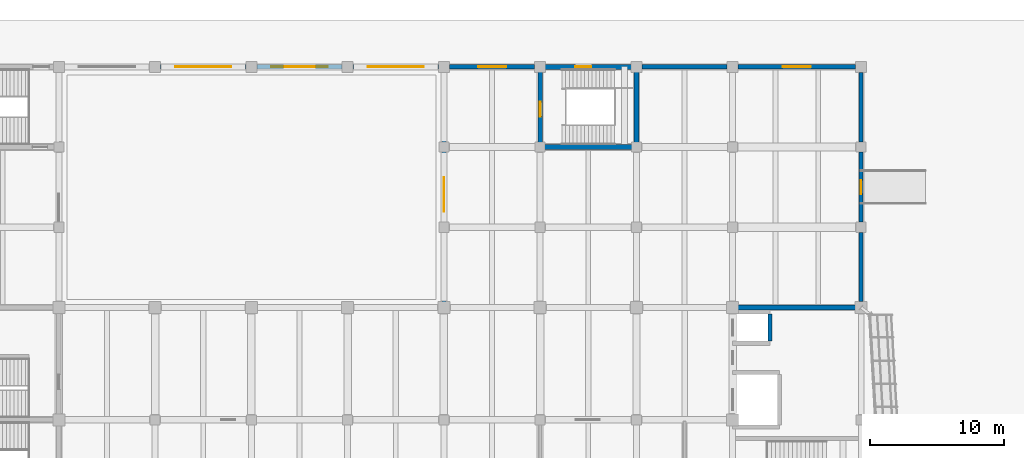
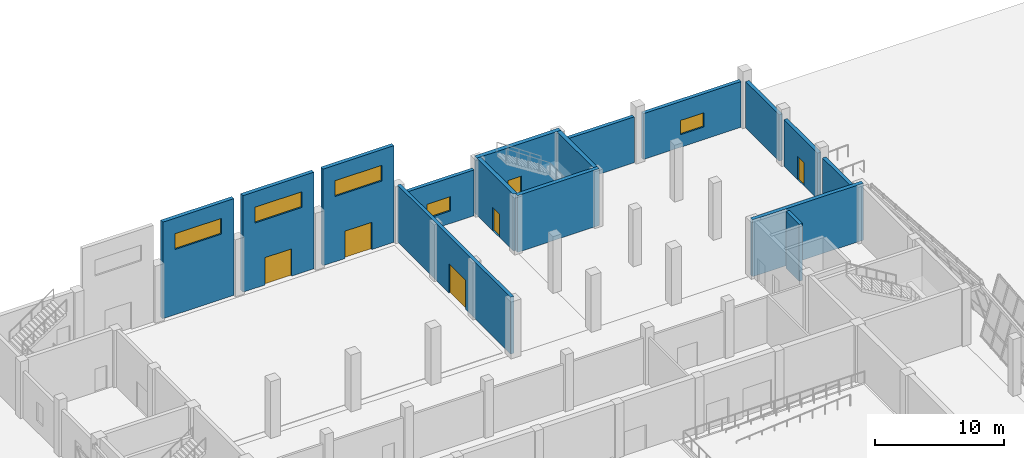
# One storey, part 65 of 78: 16 walls, 6 doors, 5 windows, 11 openings.
"""IFC4 building model written with IfcOpenShell, lengths in metres."""

from ifc_helpers import new_model, si_unit, direction, frame, frame_2d, origin, place, context, subcontext, project, spatial, rectangle, extrude, material, layer, layer_set, type_object, element, fill, save


model = new_model("IFC4")

# Units and contexts
model_context = context("Model", 3, precision=1e-05, world=origin(), true_north=direction((0.0, 1.0)))
body_context = subcontext(model_context, "Body", "Model", "MODEL_VIEW")
ifc_project = project(units=[si_unit("LENGTHUNIT", "METRE"), si_unit("AREAUNIT", "SQUARE_METRE"), si_unit("VOLUMEUNIT", "CUBIC_METRE"), si_unit("PLANEANGLEUNIT", "RADIAN"), si_unit("MASSUNIT", "GRAM", prefix="KILO")], contexts=[model_context])

# Site, building, storey
site_placement = place(None, origin())
site = spatial("IfcSite", under=ifc_project, at=site_placement, CompositionType="ELEMENT")
building_placement = place(site_placement, origin())
building = spatial("IfcBuilding", under=site, at=building_placement, Name="Pellamere Symphony Hall", CompositionType="ELEMENT")
storey_placement = place(building_placement, origin())
storey = spatial("IfcBuildingStorey", under=building, at=storey_placement, Name="L00", CompositionType="ELEMENT", Elevation=0.0)

# Wall, opening, window
ifc_material_1 = material(Name="Precast concrete 40 MPa", Category="concrete")
ifc_layer_1 = layer(ifc_material_1, 0.320068359375, Name="Precast concrete 40 MPa")
ifc_layer_set_1 = layer_set([ifc_layer_1], Name="Precast concrete 40 MPa")
wall_type_1 = type_object("IfcWallType", Name="Exterior Wall EW-02 320mm", PredefinedType="SOLIDWALL", material=ifc_layer_set_1)
wall_1_placement = place(storey_placement, frame((88.010009765625, 111.60009765625, 0.0), z_axis=(0.0, 0.0, 1.0), x_axis=(1.0, 0.0, 0.0)))
wall_1 = element("IfcWall", 1, at=wall_1_placement, inside=storey, type_object=wall_type_1, Name="Exterior Wall EW-02-020 (L00)", PredefinedType="SOLIDWALL", context=body_context, shape_type="SweptSolid", body=[
    extrude(rectangle(XDim=6.3798828125, YDim=0.320068359375, at=frame_2d((3.18994140625, 0.0))), origin(), (0.0, 0.0, 1.0), 4.35009765625),
])
opening_1_placement = place(wall_1_placement, frame((2.139892578125, 0.0, 1.199951171875)))
opening_1 = element("IfcOpeningElement", 2, at=opening_1_placement, cuts=wall_1, Name="Opening W018", PredefinedType="OPENING", context=body_context, shape_type="SweptSolid", body=[
    extrude(rectangle(XDim=2.10009765625, YDim=1.35009765625, at=frame_2d((1.050048828125, 0.675048828125))), frame((0.0, 0.169921875, 0.0), z_axis=(0.0, -1.0, 0.0), x_axis=(1.0, 0.0, 0.0)), (0.0, 0.0, 1.0), 0.340087890625),
])
ifc_material_2 = material(Name="Thermally Broken Aluminium Triple-Glazed Acoustic Window", Category="aluminium")
window_type_1 = type_object("IfcWindowType", Name="Window WN-06 2100x1350", PartitioningType="DOUBLE_PANEL_HORIZONTAL", PredefinedType="WINDOW", material=ifc_material_2)
window_1_placement = place(opening_1_placement, origin())
window_1 = element("IfcWindow", 3, at=window_1_placement, inside=storey, type_object=window_type_1, Name="Exterior Window W018 (L00)", OverallHeight=1.35009765625, OverallWidth=2.10009765625, PartitioningType="SINGLE_PANEL", PredefinedType="WINDOW", context=body_context, shape_type="SweptSolid", body=[
    extrude(rectangle(XDim=2.10009765625, YDim=1.35009765625, at=frame_2d((1.050048828125, 0.675048828125))), frame((0.0, 0.030029296875, 0.0), z_axis=(0.0, -1.0, 0.0), x_axis=(1.0, 0.0, 0.0)), (0.0, 0.0, 1.0), 0.06005859375),
])
fill(opening_1, window_1)

# Wall
wall_2_placement = place(storey_placement, frame((102.409912109375, 111.60009765625, 0.0), z_axis=(0.0, 0.0, 1.0), x_axis=(1.0, 0.0, 0.0)))
element("IfcWall", 4, at=wall_2_placement, inside=storey, type_object=wall_type_1, Name="Exterior Wall EW-02-021 (L00)", PredefinedType="SOLIDWALL", context=body_context, shape_type="SweptSolid", body=[
    extrude(rectangle(XDim=6.380126953125, YDim=0.320068359375, at=frame_2d((3.18994140625, 0.0))), origin(), (0.0, 0.0, 1.0), 4.35009765625),
])

# Wall, opening, window
wall_3_placement = place(storey_placement, frame((109.610107421875, 111.60009765625, 0.0), z_axis=(0.0, 0.0, 1.0), x_axis=(1.0, 0.0, 0.0)))
wall_3 = element("IfcWall", 5, at=wall_3_placement, inside=storey, type_object=wall_type_1, Name="Exterior Wall EW-02-022 (L00)", PredefinedType="SOLIDWALL", context=body_context, shape_type="SweptSolid", body=[
    extrude(rectangle(XDim=8.77978515625, YDim=0.320068359375, at=frame_2d((4.389892578125, 0.0))), origin(), (0.0, 0.0, 1.0), 4.35009765625),
])
opening_2_placement = place(wall_3_placement, frame((3.340087890625, 0.0, 1.199951171875)))
opening_2 = element("IfcOpeningElement", 6, at=opening_2_placement, cuts=wall_3, Name="Opening W019", PredefinedType="OPENING", context=body_context, shape_type="SweptSolid", body=[
    extrude(rectangle(XDim=2.10009765625, YDim=1.35009765625, at=frame_2d((1.050048828125, 0.675048828125))), frame((0.0, 0.169921875, 0.0), z_axis=(0.0, -1.0, 0.0), x_axis=(1.0, 0.0, 0.0)), (0.0, 0.0, 1.0), 0.340087890625),
])
window_2_placement = place(opening_2_placement, origin())
window_2 = element("IfcWindow", 7, at=window_2_placement, inside=storey, type_object=window_type_1, Name="Exterior Window W019 (L00)", OverallHeight=1.35009765625, OverallWidth=2.10009765625, PartitioningType="SINGLE_PANEL", PredefinedType="WINDOW", context=body_context, shape_type="SweptSolid", body=[
    extrude(rectangle(XDim=2.10009765625, YDim=1.35009765625, at=frame_2d((1.050048828125, 0.675048828125))), frame((0.0, 0.030029296875, 0.0), z_axis=(0.0, -1.0, 0.0), x_axis=(1.0, 0.0, 0.0)), (0.0, 0.0, 1.0), 0.06005859375),
])
fill(opening_2, window_2)

# Wall
wall_4_placement = place(storey_placement, frame((118.800048828125, 94.050048828125, 0.0), z_axis=(0.0, 0.0, 1.0), x_axis=(0.0, 1.0, 0.0)))
element("IfcWall", 8, at=wall_4_placement, inside=storey, type_object=wall_type_1, Name="Exterior Wall EW-02-024 (L00)", PredefinedType="SOLIDWALL", context=body_context, shape_type="SweptSolid", body=[
    extrude(rectangle(XDim=5.175048828125, YDim=0.320068359375, at=frame_2d((2.58740234375, 0.0))), origin(), (0.0, 0.0, 1.0), 4.39990234375),
])

# Wall, opening, door
wall_5_placement = place(storey_placement, frame((118.800048828125, 99.97509765625, 0.0), z_axis=(0.0, 0.0, 1.0), x_axis=(0.0, 1.0, 0.0)))
wall_5 = element("IfcWall", 9, at=wall_5_placement, inside=storey, type_object=wall_type_1, Name="Exterior Wall EW-02-026 (L00)", PredefinedType="SOLIDWALL", context=body_context, shape_type="SweptSolid", body=[
    extrude(rectangle(XDim=5.25, YDim=0.320068359375, at=frame_2d((2.625, 0.0))), origin(), (0.0, 0.0, 1.0), 4.39990234375),
])
opening_3_placement = place(wall_5_placement, frame((2.10009765625, 0.0, 0.0)))
opening_3 = element("IfcOpeningElement", 10, at=opening_3_placement, cuts=wall_5, Name="Opening E10", PredefinedType="OPENING", context=body_context, shape_type="SweptSolid", body=[
    extrude(rectangle(XDim=1.050048828125, YDim=2.199951171875, at=frame_2d((0.52490234375, 1.10009765625))), frame((0.0, 0.169921875, 0.0), z_axis=(0.0, -1.0, 0.0), x_axis=(1.0, 0.0, 0.0)), (0.0, 0.0, 1.0), 0.340087890625),
])
ifc_material_3 = material(Name="Thermally Broken Bronze-Anodised Aluminium Acoustic Door", Category="aluminium")
door_type_1 = type_object("IfcDoorType", Name="Exterior Door ED-09 1050x2200", OperationType="NOTDEFINED", PredefinedType="DOOR", material=ifc_material_3)
door_1_placement = place(opening_3_placement, frame((1.050048828125, 0.0, 0.0), z_axis=(0.0, 0.0, 1.0), x_axis=(-1.0, 0.0, 0.0)))
door_1 = element("IfcDoor", 11, at=door_1_placement, inside=storey, type_object=door_type_1, Name="Stage Personnel Entrance Door", OperationType="SINGLE_SWING_LEFT", OverallHeight=2.199951171875, OverallWidth=1.050048828125, PredefinedType="DOOR", context=body_context, shape_type="SweptSolid", body=[
    extrude(rectangle(XDim=1.050048828125, YDim=2.199951171875, at=frame_2d((0.52490234375, 1.10009765625))), frame((0.0, 0.02490234375, 0.0), z_axis=(0.0, -1.0, 0.0), x_axis=(1.0, 0.0, 0.0)), (0.0, 0.0, 1.0), 0.050048828125),
])
fill(opening_3, door_1)

# Wall
wall_6_placement = place(storey_placement, frame((118.800048828125, 105.97509765625, 0.0), z_axis=(0.0, 0.0, 1.0), x_axis=(0.0, 1.0, 0.0)))
element("IfcWall", 12, at=wall_6_placement, inside=storey, type_object=wall_type_1, Name="Exterior Wall EW-02-027 (L00)", PredefinedType="SOLIDWALL", context=body_context, shape_type="SweptSolid", body=[
    extrude(rectangle(XDim=5.21484375, YDim=0.320068359375, at=frame_2d((2.607421875, 0.0))), origin(), (0.0, 0.0, 1.0), 4.39990234375),
])

# Wall, opening, window
ifc_layer_2 = layer(ifc_material_1, 0.340087890625, Name="Precast concrete 40 MPa")
ifc_layer_set_2 = layer_set([ifc_layer_2], Name="Precast concrete 40 MPa")
wall_type_2 = type_object("IfcWallType", Name="Exterior Wall EW-07 340mm", PredefinedType="SOLIDWALL", material=ifc_layer_set_2)
wall_7_placement = place(storey_placement, frame((66.409912109375, 111.60009765625, 0.0), z_axis=(0.0, 0.0, 1.0), x_axis=(1.0, 0.0, 0.0)))
wall_7 = element("IfcWall", 13, at=wall_7_placement, inside=storey, type_object=wall_type_2, Name="Exterior Wall EW-07-017 (L00)", PredefinedType="SOLIDWALL", context=body_context, shape_type="SweptSolid", body=[
    extrude(rectangle(XDim=6.380126953125, YDim=0.340087890625, at=frame_2d((3.18994140625, 0.0))), origin(), (0.0, 0.0, 1.0), 9.179931640625),
])
opening_4_placement = place(wall_7_placement, frame((1.090087890625, 0.0, 6.199951171875)))
opening_4 = element("IfcOpeningElement", 14, at=opening_4_placement, cuts=wall_7, Name="Opening W015", PredefinedType="OPENING", context=body_context, shape_type="SweptSolid", body=[
    extrude(rectangle(XDim=4.199951171875, YDim=1.5, at=frame_2d((2.10009765625, 0.75))), frame((0.0, 0.179931640625, 0.0), z_axis=(0.0, -1.0, 0.0), x_axis=(1.0, 0.0, 0.0)), (0.0, 0.0, 1.0), 0.360107421875),
])
window_type_2 = type_object("IfcWindowType", Name="Window WN-09 4200x1500", PartitioningType="TRIPLE_PANEL_HORIZONTAL", PredefinedType="WINDOW", material=ifc_material_2)
window_3_placement = place(opening_4_placement, origin())
window_3 = element("IfcWindow", 15, at=window_3_placement, inside=storey, type_object=window_type_2, Name="Exterior Window W015 (L00)", OverallHeight=1.5, OverallWidth=4.199951171875, PartitioningType="SINGLE_PANEL", PredefinedType="WINDOW", context=body_context, shape_type="SweptSolid", body=[
    extrude(rectangle(XDim=4.199951171875, YDim=1.5, at=frame_2d((2.10009765625, 0.75))), frame((0.0, 0.030029296875, 0.0), z_axis=(0.0, -1.0, 0.0), x_axis=(1.0, 0.0, 0.0)), (0.0, 0.0, 1.0), 0.06005859375),
])
fill(opening_4, window_3)

# Wall, openings, door, window
wall_8_placement = place(storey_placement, frame((73.610107421875, 111.60009765625, 0.0), z_axis=(0.0, 0.0, 1.0), x_axis=(1.0, 0.0, 0.0)))
wall_8 = element("IfcWall", 16, at=wall_8_placement, inside=storey, type_object=wall_type_2, Name="Exterior Wall EW-07-018 (L00)", PredefinedType="SOLIDWALL", context=body_context, shape_type="SweptSolid", body=[
    extrude(rectangle(XDim=6.3798828125, YDim=0.340087890625, at=frame_2d((3.18994140625, 0.0))), origin(), (0.0, 0.0, 1.0), 9.179931640625),
])
opening_5_placement = place(wall_8_placement, frame((1.090087890625, 0.0, 6.199951171875)))
opening_5 = element("IfcOpeningElement", 17, at=opening_5_placement, cuts=wall_8, Name="Opening W016", PredefinedType="OPENING", context=body_context, shape_type="SweptSolid", body=[
    extrude(rectangle(XDim=4.199951171875, YDim=1.5, at=frame_2d((2.10009765625, 0.75))), frame((0.0, 0.179931640625, 0.0), z_axis=(0.0, -1.0, 0.0), x_axis=(1.0, 0.0, 0.0)), (0.0, 0.0, 1.0), 0.360107421875),
])
opening_6_placement = place(wall_8_placement, frame((1.989990234375, 0.0, 0.0)))
opening_6 = element("IfcOpeningElement", 18, at=opening_6_placement, cuts=wall_8, Name="Opening E0973", PredefinedType="OPENING", context=body_context, shape_type="SweptSolid", body=[
    extrude(rectangle(XDim=2.39990234375, YDim=2.60009765625, at=frame_2d((1.199951171875, 1.300048828125))), frame((0.0, 0.179931640625, 0.0), z_axis=(0.0, -1.0, 0.0), x_axis=(1.0, 0.0, 0.0)), (0.0, 0.0, 1.0), 0.360107421875),
])
door_type_2 = type_object("IfcDoorType", Name="Exterior Door ED-01 2400x2600", OperationType="NOTDEFINED", PredefinedType="DOOR", material=ifc_material_3)
door_2_placement = place(opening_6_placement, origin())
door_2 = element("IfcDoor", 19, at=door_2_placement, inside=storey, type_object=door_type_2, Name="Rehearsal North Plaza Exit", OperationType="DOUBLE_DOOR_SINGLE_SWING", OverallHeight=2.60009765625, OverallWidth=2.39990234375, PredefinedType="DOOR", context=body_context, shape_type="SweptSolid", body=[
    extrude(rectangle(XDim=2.39990234375, YDim=2.60009765625, at=frame_2d((1.199951171875, 1.300048828125))), frame((0.0, 0.02490234375, 0.0), z_axis=(0.0, -1.0, 0.0), x_axis=(1.0, 0.0, 0.0)), (0.0, 0.0, 1.0), 0.050048828125),
])
fill(opening_6, door_2)
window_4_placement = place(opening_5_placement, origin())
window_4 = element("IfcWindow", 20, at=window_4_placement, inside=storey, type_object=window_type_2, Name="Exterior Window W016 (L00)", OverallHeight=1.5, OverallWidth=4.199951171875, PartitioningType="SINGLE_PANEL", PredefinedType="WINDOW", context=body_context, shape_type="SweptSolid", body=[
    extrude(rectangle(XDim=4.199951171875, YDim=1.5, at=frame_2d((2.10009765625, 0.75))), frame((0.0, 0.030029296875, 0.0), z_axis=(0.0, -1.0, 0.0), x_axis=(1.0, 0.0, 0.0)), (0.0, 0.0, 1.0), 0.06005859375),
])
fill(opening_5, window_4)

wall_9_placement = place(storey_placement, frame((80.81005859375, 111.60009765625, 0.0), z_axis=(0.0, 0.0, 1.0), x_axis=(1.0, 0.0, 0.0)))
wall_9 = element("IfcWall", 21, at=wall_9_placement, inside=storey, type_object=wall_type_2, Name="Exterior Wall EW-07-019 (L00)", PredefinedType="SOLIDWALL", context=body_context, shape_type="SweptSolid", body=[
    extrude(rectangle(XDim=6.3798828125, YDim=0.340087890625, at=frame_2d((3.18994140625, 0.0))), origin(), (0.0, 0.0, 1.0), 9.179931640625),
])
opening_7_placement = place(wall_9_placement, frame((1.090087890625, 0.0, 6.199951171875)))
opening_7 = element("IfcOpeningElement", 22, at=opening_7_placement, cuts=wall_9, Name="Opening W017", PredefinedType="OPENING", context=body_context, shape_type="SweptSolid", body=[
    extrude(rectangle(XDim=4.199951171875, YDim=1.5, at=frame_2d((2.10009765625, 0.75))), frame((0.0, 0.179931640625, 0.0), z_axis=(0.0, -1.0, 0.0), x_axis=(1.0, 0.0, 0.0)), (0.0, 0.0, 1.0), 0.360107421875),
])
opening_8_placement = place(wall_9_placement, frame((1.989990234375, 0.0, 0.0)))
opening_8 = element("IfcOpeningElement", 23, at=opening_8_placement, cuts=wall_9, Name="Opening E0980", PredefinedType="OPENING", context=body_context, shape_type="SweptSolid", body=[
    extrude(rectangle(XDim=2.39990234375, YDim=2.60009765625, at=frame_2d((1.199951171875, 1.300048828125))), frame((0.0, 0.179931640625, 0.0), z_axis=(0.0, -1.0, 0.0), x_axis=(1.0, 0.0, 0.0)), (0.0, 0.0, 1.0), 0.360107421875),
])
door_3_placement = place(opening_8_placement, origin())
door_3 = element("IfcDoor", 24, at=door_3_placement, inside=storey, type_object=door_type_2, Name="Rehearsal North Plaza Exit", OperationType="DOUBLE_DOOR_SINGLE_SWING", OverallHeight=2.60009765625, OverallWidth=2.39990234375, PredefinedType="DOOR", context=body_context, shape_type="SweptSolid", body=[
    extrude(rectangle(XDim=2.39990234375, YDim=2.60009765625, at=frame_2d((1.199951171875, 1.300048828125))), frame((0.0, 0.02490234375, 0.0), z_axis=(0.0, -1.0, 0.0), x_axis=(1.0, 0.0, 0.0)), (0.0, 0.0, 1.0), 0.050048828125),
])
fill(opening_8, door_3)
window_5_placement = place(opening_7_placement, origin())
window_5 = element("IfcWindow", 25, at=window_5_placement, inside=storey, type_object=window_type_2, Name="Exterior Window W017 (L00)", OverallHeight=1.5, OverallWidth=4.199951171875, PartitioningType="SINGLE_PANEL", PredefinedType="WINDOW", context=body_context, shape_type="SweptSolid", body=[
    extrude(rectangle(XDim=4.199951171875, YDim=1.5, at=frame_2d((2.10009765625, 0.75))), frame((0.0, 0.030029296875, 0.0), z_axis=(0.0, -1.0, 0.0), x_axis=(1.0, 0.0, 0.0)), (0.0, 0.0, 1.0), 0.06005859375),
])
fill(opening_7, window_5)

# Walls
ifc_material_4 = material(Name="Concrete 40 MPa", Category="concrete")
ifc_layer_3 = layer(ifc_material_4, 0.35009765625, Name="Concrete 40 MPa")
ifc_layer_set_3 = layer_set([ifc_layer_3], Name="Concrete 40 MPa")
wall_type_3 = type_object("IfcWallType", Name="Structural Wall SW-03 350mm", PredefinedType="SHEAR", material=ifc_layer_set_3)
wall_10_placement = place(storey_placement, frame((109.02490234375, 93.60009765625, 0.0), z_axis=(0.0, 0.0, 1.0), x_axis=(1.0, 0.0, 0.0)))
element("IfcWall", 26, at=wall_10_placement, inside=storey, type_object=wall_type_3, Name="Core Shear Wall C4 N (L00)", PredefinedType="SHEAR", context=body_context, shape_type="SweptSolid", body=[
    extrude(rectangle(XDim=9.9501953125, YDim=0.35009765625, at=frame_2d((4.97509765625, 0.0))), origin(), (0.0, 0.0, 1.0), 5.39990234375),
])
wall_11_placement = place(storey_placement, frame((94.820068359375, 105.60009765625, 0.0), z_axis=(0.0, 0.0, 1.0), x_axis=(1.0, 0.0, 0.0)))
element("IfcWall", 27, at=wall_11_placement, inside=storey, type_object=wall_type_3, Name="Stair ST11 Enclosure Wall S (L00)", PredefinedType="SHEAR", context=body_context, shape_type="SweptSolid", body=[
    extrude(rectangle(XDim=7.35498046875, YDim=0.35009765625, at=frame_2d((3.677490234375, 0.0))), origin(), (0.0, 0.0, 1.0), 5.39990234375),
])

# Wall, opening, door
wall_12_placement = place(storey_placement, frame((94.800048828125, 105.77490234375, 0.0), z_axis=(0.0, 0.0, 1.0), x_axis=(0.0, 1.0, 0.0)))
wall_12 = element("IfcWall", 28, at=wall_12_placement, inside=storey, type_object=wall_type_3, Name="Stair ST11 Enclosure Wall W (L00)", PredefinedType="SHEAR", context=body_context, shape_type="SweptSolid", body=[
    extrude(rectangle(XDim=5.650146484375, YDim=0.35009765625, at=frame_2d((2.8251953125, 0.0))), origin(), (0.0, 0.0, 1.0), 5.39990234375),
])
opening_9_placement = place(wall_12_placement, frame((2.10009765625, 0.0, 0.0)))
opening_9 = element("IfcOpeningElement", 29, at=opening_9_placement, cuts=wall_12, Name="Opening SD-54", PredefinedType="OPENING", context=body_context, shape_type="SweptSolid", body=[
    extrude(rectangle(XDim=1.10009765625, YDim=2.199951171875, at=frame_2d((0.550048828125, 1.10009765625))), frame((0.0, 0.18505859375, 0.0), z_axis=(0.0, -1.0, 0.0), x_axis=(1.0, 0.0, 0.0)), (0.0, 0.0, 1.0), 0.3701171875),
])
ifc_material_5 = material(Name="Fire-Rated Steel Exit Stair Door", Category="steel")
door_type_3 = type_object("IfcDoorType", Name="Interior Door ID-SD1 1100x2200", OperationType="NOTDEFINED", PredefinedType="DOOR", material=ifc_material_5)
door_4_placement = place(opening_9_placement, origin())
door_4 = element("IfcDoor", 30, at=door_4_placement, inside=storey, type_object=door_type_3, Name="Exit Stair ST11 Door (L00)", OperationType="SINGLE_SWING_RIGHT", OverallHeight=2.199951171875, OverallWidth=1.10009765625, PredefinedType="DOOR", context=body_context, shape_type="SweptSolid", body=[
    extrude(rectangle(XDim=1.10009765625, YDim=2.199951171875, at=frame_2d((0.550048828125, 1.10009765625))), frame((0.0, 0.02490234375, 0.0), z_axis=(0.0, -1.0, 0.0), x_axis=(1.0, 0.0, 0.0)), (0.0, 0.0, 1.0), 0.050048828125),
])
fill(opening_9, door_4)

# Wall
wall_13_placement = place(storey_placement, frame((102.0, 105.77490234375, 0.0), z_axis=(0.0, 0.0, 1.0), x_axis=(0.0, 1.0, 0.0)))
element("IfcWall", 31, at=wall_13_placement, inside=storey, type_object=wall_type_3, Name="Stair ST11 Enclosure Wall E (L00)", PredefinedType="SHEAR", context=body_context, shape_type="SweptSolid", body=[
    extrude(rectangle(XDim=5.650146484375, YDim=0.35009765625, at=frame_2d((2.8251953125, 0.0))), origin(), (0.0, 0.0, 1.0), 5.39990234375),
])

# Wall, opening, door
ifc_layer_4 = layer(ifc_material_4, 0.300048828125, Name="Concrete 40 MPa")
ifc_layer_set_4 = layer_set([ifc_layer_4], Name="Concrete 40 MPa")
wall_type_4 = type_object("IfcWallType", Name="Structural Wall SW-04 300mm", PredefinedType="SHEAR", material=ifc_layer_set_4)
wall_14_placement = place(storey_placement, frame((87.60009765625, 93.75, 0.0), z_axis=(0.0, 0.0, 1.0), x_axis=(0.0, 1.0, 0.0)))
wall_14 = element("IfcWall", 32, at=wall_14_placement, inside=storey, type_object=wall_type_4, Name="Rehearsal Hall Acoustic Wall AW3-E (L00)", PredefinedType="SHEAR", context=body_context, shape_type="SweptSolid", body=[
    extrude(rectangle(XDim=17.60009765625, YDim=0.300048828125, at=frame_2d((8.800048828125, 0.0))), origin(), (0.0, 0.0, 1.0), 5.39990234375),
])
opening_10_placement = place(wall_14_placement, frame((7.0, 0.0, 0.0)))
opening_10 = element("IfcOpeningElement", 33, at=opening_10_placement, cuts=wall_14, Name="Opening GD-02", PredefinedType="OPENING", context=body_context, shape_type="SweptSolid", body=[
    extrude(rectangle(XDim=2.60009765625, YDim=2.800048828125, at=frame_2d((1.300048828125, 1.39990234375))), frame((0.0, 0.159912109375, 0.0), z_axis=(0.0, -1.0, 0.0), x_axis=(1.0, 0.0, 0.0)), (0.0, 0.0, 1.0), 0.320068359375),
])
ifc_material_6 = material(Name="Oversized Piano Stage Acoustic Transfer Door", Category="steel")
door_type_4 = type_object("IfcDoorType", Name="Interior Gate ID-ST1 2600x2800", OperationType="NOTDEFINED", PredefinedType="GATE", material=ifc_material_6)
door_5_placement = place(opening_10_placement, origin())
door_5 = element("IfcDoor", 34, at=door_5_placement, inside=storey, type_object=door_type_4, Name="Rehearsal Hall Piano Transfer Gate", OperationType="DOUBLE_DOOR_SINGLE_SWING", OverallHeight=2.800048828125, OverallWidth=2.60009765625, PredefinedType="GATE", context=body_context, shape_type="SweptSolid", body=[
    extrude(rectangle(XDim=2.60009765625, YDim=2.800048828125, at=frame_2d((1.300048828125, 1.39990234375))), frame((0.0, 0.02490234375, 0.0), z_axis=(0.0, -1.0, 0.0), x_axis=(1.0, 0.0, 0.0)), (0.0, 0.0, 1.0), 0.050048828125),
])
fill(opening_10, door_5)

# Wall
wall_15_placement = place(storey_placement, frame((112.0, 91.074951171875, 0.0), z_axis=(0.0, 0.0, 1.0), x_axis=(0.0, 1.0, 0.0)))
element("IfcWall", 35, at=wall_15_placement, inside=storey, type_object=wall_type_4, Name="Elevator PL6 Hoistway Wall E (L00)", PredefinedType="SHEAR", context=body_context, shape_type="SweptSolid", body=[
    extrude(rectangle(XDim=2.050048828125, YDim=0.300048828125, at=frame_2d((1.02490234375, 0.0))), origin(), (0.0, 0.0, 1.0), 5.39990234375),
])

# Wall, opening, door
ifc_layer_5 = layer(ifc_material_4, 0.3798828125, Name="Concrete 40 MPa")
ifc_layer_set_5 = layer_set([ifc_layer_5], Name="Concrete 40 MPa")
wall_type_5 = type_object("IfcWallType", Name="Structural Wall SW-07 380mm", PredefinedType="SHEAR", material=ifc_layer_set_5)
wall_16_placement = place(storey_placement, frame((94.625, 111.60009765625, 0.0), z_axis=(0.0, 0.0, 1.0), x_axis=(1.0, 0.0, 0.0)))
wall_16 = element("IfcWall", 36, at=wall_16_placement, inside=storey, type_object=wall_type_5, Name="Stair ST11 Enclosure Wall N (L00)", PredefinedType="SHEAR", context=body_context, shape_type="SweptSolid", body=[
    extrude(rectangle(XDim=7.550048828125, YDim=0.3798828125, at=frame_2d((3.77490234375, 0.0))), origin(), (0.0, 0.0, 1.0), 5.39990234375),
])
opening_11_placement = place(wall_16_placement, frame((2.800048828125, 0.0, 0.0)))
opening_11 = element("IfcOpeningElement", 37, at=opening_11_placement, cuts=wall_16, Name="Opening E35", PredefinedType="OPENING", context=body_context, shape_type="SweptSolid", body=[
    extrude(rectangle(XDim=1.199951171875, YDim=2.300048828125, at=frame_2d((0.60009765625, 1.14990234375))), frame((0.0, 0.199951171875, 0.0), z_axis=(0.0, -1.0, 0.0), x_axis=(1.0, 0.0, 0.0)), (0.0, 0.0, 1.0), 0.39990234375),
])
door_type_5 = type_object("IfcDoorType", Name="Exterior Door ED-04 1200x2300", OperationType="NOTDEFINED", PredefinedType="DOOR", material=ifc_material_3)
door_6_placement = place(opening_11_placement, origin())
door_6 = element("IfcDoor", 38, at=door_6_placement, inside=storey, type_object=door_type_5, Name="Stair ST11 Direct North Street Exit", OperationType="SINGLE_SWING_LEFT", OverallHeight=2.300048828125, OverallWidth=1.199951171875, PredefinedType="DOOR", context=body_context, shape_type="SweptSolid", body=[
    extrude(rectangle(XDim=1.199951171875, YDim=2.300048828125, at=frame_2d((0.60009765625, 1.14990234375))), frame((0.0, 0.02490234375, 0.0), z_axis=(0.0, -1.0, 0.0), x_axis=(1.0, 0.0, 0.0)), (0.0, 0.0, 1.0), 0.050048828125),
])
fill(opening_11, door_6)

save(model, "model.ifc")
